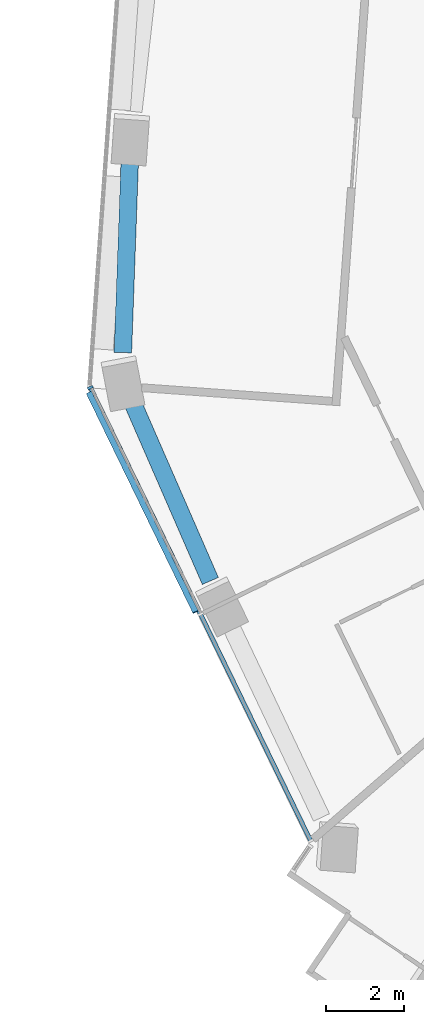
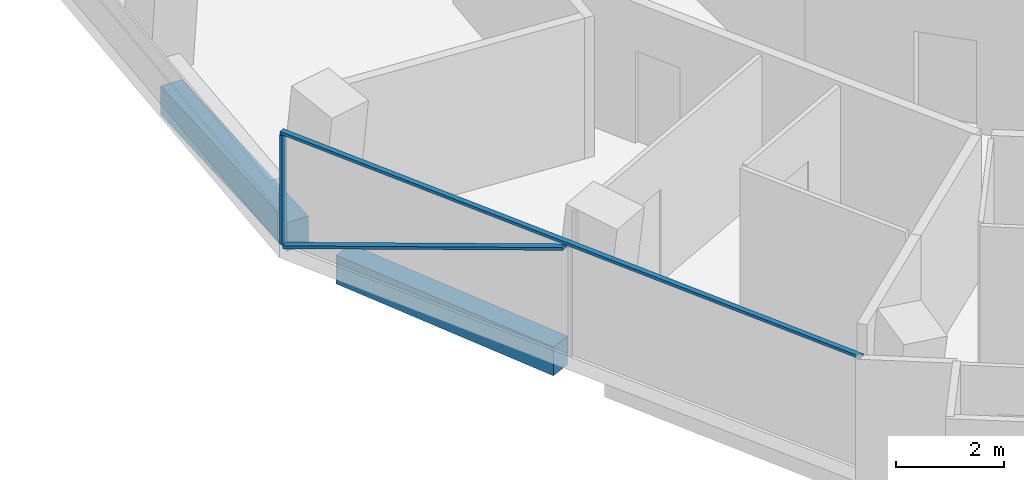
# One storey, part 3 of 22: 3 members, 2 beams, 1 element without a shape of its own.
"""IFC4 building model written with IfcOpenShell, lengths in metres."""

from ifc_helpers import new_model, si_unit, direction, frame, origin, origin_2d, place, context, subcontext, project, spatial, rectangle, extrude, material, layer, layer_set, material_profile, profile_set, type_object, element, aggregate, save


model = new_model("IFC4")

# Units and contexts
model_context = context("Model", 3, precision=1e-05, world=origin(), true_north=direction((0.0, 1.0)))
body_context = subcontext(model_context, "Body", "Model", "MODEL_VIEW")
ifc_project = project(units=[si_unit("LENGTHUNIT", "METRE"), si_unit("AREAUNIT", "SQUARE_METRE"), si_unit("VOLUMEUNIT", "CUBIC_METRE"), si_unit("PLANEANGLEUNIT", "RADIAN"), si_unit("MASSUNIT", "GRAM", prefix="KILO")], contexts=[model_context])

# Site, building, storey
site_placement = place(None, origin())
site = spatial("IfcSite", under=ifc_project, at=site_placement, CompositionType="ELEMENT")
building_placement = place(site_placement, origin())
building = spatial("IfcBuilding", under=site, at=building_placement, Name="Verdalira Terraces Hotel", CompositionType="ELEMENT")
storey_placement = place(building_placement, frame((0.0, 0.0, 140.0)))
storey = spatial("IfcBuildingStorey", under=building, at=storey_placement, Name="L33", CompositionType="ELEMENT", Elevation=140.0)

# Curtain wall, members
ifc_material_1 = material(Name="Clear glass", Category="glass")
ifc_layer = layer(ifc_material_1, 0.14990234375)
ifc_layer_set = layer_set([ifc_layer], Name="CW1 curtain wall")
curtain_wall_type = type_object("IfcCurtainWallType", Name="CW1 curtain wall", PredefinedType="NOTDEFINED", material=ifc_layer_set)
curtain_wall_placement = place(storey_placement, origin())
curtain_wall = element("IfcCurtainWall", 1, at=curtain_wall_placement, inside=storey, type_object=curtain_wall_type, Name="CW1 curtain wall L33 edge 13", PredefinedType="NOTDEFINED")
ifc_material_2 = material(Name="Terracotta frame", Category="masonry")
ifc_material_profile_1 = material_profile(ifc_material_2, rectangle(XDim=0.060059, YDim=0.149902, at=origin_2d()), Name="MU 60x150")
ifc_profile_set_1 = profile_set([ifc_material_profile_1], Name="Terracotta frame")
member_type_1 = type_object("IfcMemberType", Name="CW1 mullion 60x150", PredefinedType="MULLION", material=ifc_profile_set_1)
member_1_placement = place(storey_placement, frame((-24.578857, -4.751709, 0.0), z_axis=(0.0, 0.0, 1.0), x_axis=(0.437115767, -0.899405252, 0.0)))
member_1 = element("IfcMember", 2, at=member_1_placement, type_object=member_type_1, Name="CW1 mullion", PredefinedType="MULLION", context=body_context, shape_type="SweptSolid", body=[
    extrude(rectangle(XDim=0.060059, YDim=0.149902, at=origin_2d()), origin(), (0.0, 0.0, 1.0), 2.475098),
])
ifc_material_3 = material(Name="Terracotta frame", Category="masonry")
ifc_material_profile_2 = material_profile(ifc_material_3, rectangle(XDim=0.110107, YDim=0.064941, at=origin_2d()), Name="TR 65x110")
ifc_profile_set_2 = profile_set([ifc_material_profile_2], Name="Terracotta frame")
member_type_2 = type_object("IfcMemberType", Name="CW1 transom 65x110", PredefinedType="USERDEFINED", material=ifc_profile_set_2)
member_2_placement = place(storey_placement, frame((-24.591797, -4.724854, 2.507568), z_axis=(0.437111477, -0.899407336, 0.0), x_axis=(0.899407336, 0.437111477, 0.0)))
member_2 = element("IfcMember", 3, at=member_2_placement, type_object=member_type_2, Name="CW1 transom", ObjectType="TRANSOM", PredefinedType="USERDEFINED", context=body_context, shape_type="SweptSolid", body=[
    extrude(rectangle(XDim=0.110107, YDim=0.064941, at=origin_2d()), origin(), (0.0, 0.0, 1.0), 12.999756),
])
ifc_material_4 = material(Name="Terracotta frame", Category="masonry")
ifc_material_profile_3 = material_profile(ifc_material_4, rectangle(XDim=0.149902, YDim=0.060059, at=origin_2d()), Name="GB 60x150")
ifc_profile_set_3 = profile_set([ifc_material_profile_3], Name="Terracotta frame")
member_type_3 = type_object("IfcMemberType", Name="Diagonal glazing bar 60x150", PredefinedType="USERDEFINED", material=ifc_profile_set_3)
member_3_placement = place(storey_placement, frame((-24.613281, -4.884521, 0.028809), z_axis=(0.407800418, -0.839026352, 0.360185508), x_axis=(0.899392979, 0.437141017, 0.0)))
member_3 = element("IfcMember", 4, at=member_3_placement, type_object=member_type_3, Name="Diagonal glazing bar", ObjectType="GLAZING BAR", PredefinedType="USERDEFINED", context=body_context, shape_type="SweptSolid", body=[
    extrude(rectangle(XDim=0.149902, YDim=0.060059, at=origin_2d()), origin(), (0.0, 0.0, 1.0), 6.71167),
])
aggregate(curtain_wall, [member_1, member_2, member_3])

# Beams
ifc_material_5 = material(Name="Concrete C50", Category="concrete")
ifc_material_profile_4 = material_profile(ifc_material_5, rectangle(XDim=0.449951, YDim=0.649902, at=origin_2d()), Name="RC 450X650")
ifc_profile_set_4 = profile_set([ifc_material_profile_4], Name="Concrete C50")
beam_type = type_object("IfcBeamType", Name="Spandrel beam RC 450X650 C50", PredefinedType="SPANDREL", material=ifc_profile_set_4)
beam_1_placement = place(storey_placement, frame((-23.564209, 1.154053, -0.63501), z_axis=(-0.035946924, -0.9993537, 0.0), x_axis=(0.9993537, -0.035946924, 0.0)))
element("IfcBeam", 5, at=beam_1_placement, inside=storey, type_object=beam_type, Name="Spandrel beam B05", PredefinedType="SPANDREL", context=body_context, shape_type="SweptSolid", body=[
    extrude(rectangle(XDim=0.449951, YDim=0.649902, at=origin_2d()), origin(), (0.0, 0.0, 1.0), 5.012207),
])
beam_2_placement = place(storey_placement, frame((-23.502441, -5.120117, -0.63501), z_axis=(0.399592762, -0.916692764, 0.0), x_axis=(0.916692764, 0.399592762, 0.0)))
element("IfcBeam", 6, at=beam_2_placement, inside=storey, type_object=beam_type, Name="Spandrel beam B06", PredefinedType="SPANDREL", context=body_context, shape_type="SweptSolid", body=[
    extrude(rectangle(XDim=0.449951, YDim=0.649902, at=origin_2d()), origin(), (0.0, 0.0, 1.0), 5.015381),
])

save(model, "model.ifc")
